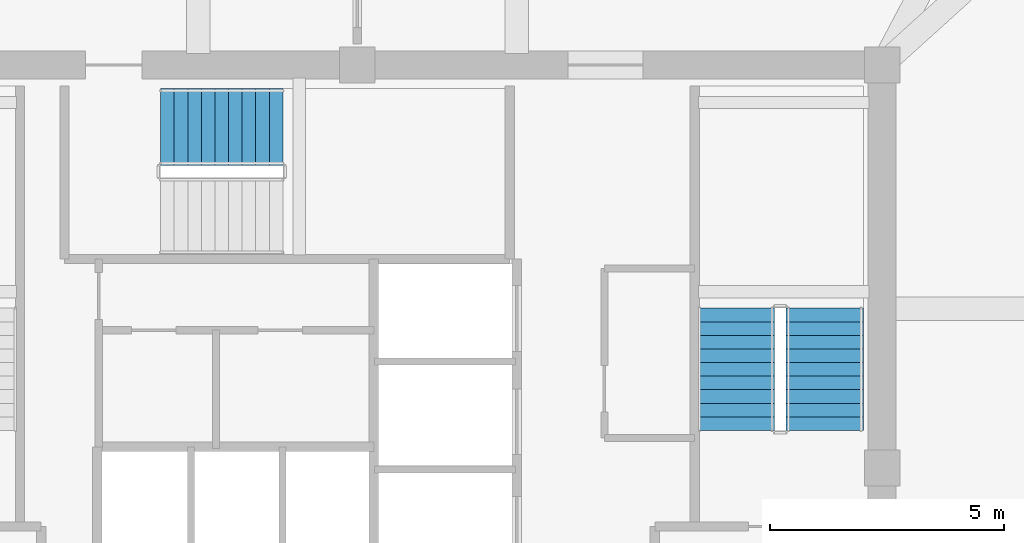
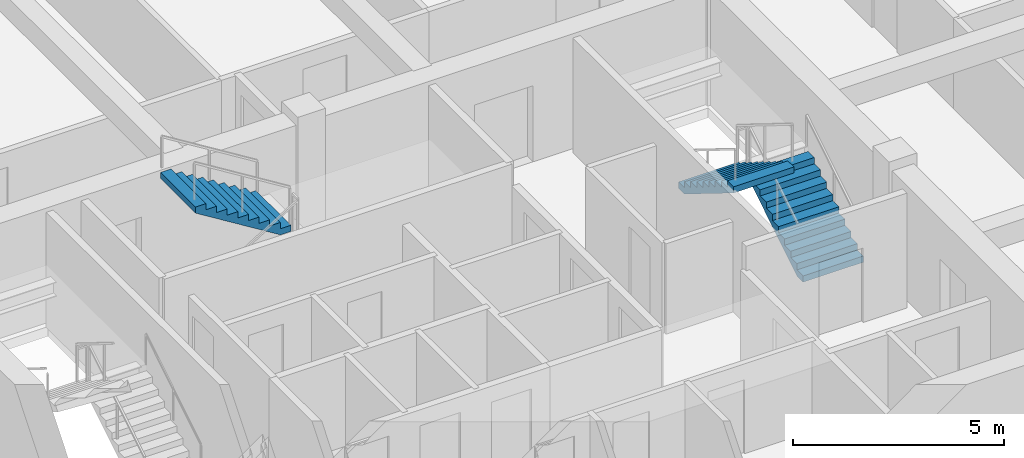
# One storey, part 12 of 14: 3 stair flights, 2 elements without a shape of their own.
"""IFC4 building model written with IfcOpenShell, lengths in metres."""

from ifc_helpers import new_model, si_unit, derived_unit, direction, frame, origin, place, context, subcontext, project, spatial, polyline, outline, extrude, material, type_object, element, aggregate, save


model = new_model("IFC4")

# Units and contexts
model_context = context("Model", 3, precision=1e-05, world=origin(), true_north=direction((0.0, 1.0)))
body_context = subcontext(model_context, "Body", "Model", "MODEL_VIEW")
ifc_project = project(units=[si_unit("LENGTHUNIT", "METRE"), si_unit("AREAUNIT", "SQUARE_METRE"), si_unit("VOLUMEUNIT", "CUBIC_METRE"), si_unit("PLANEANGLEUNIT", "RADIAN"), si_unit("MASSUNIT", "GRAM", prefix="KILO"), derived_unit("THERMALTRANSMITTANCEUNIT", [(si_unit("POWERUNIT", "WATT"), 1), (si_unit("LENGTHUNIT", "METRE"), -2), (si_unit("THERMODYNAMICTEMPERATUREUNIT", "KELVIN"), -1)])], contexts=[model_context])

# Site, building, storey
site_placement = place(None, origin())
site = spatial("IfcSite", under=ifc_project, at=site_placement, CompositionType="ELEMENT")
building_placement = place(site_placement, origin())
building = spatial("IfcBuilding", under=site, at=building_placement, Name="Koralith Skygarden Medical Center", CompositionType="ELEMENT")
storey_placement = place(building_placement, frame((0.0, 0.0, 257.219970703125)))
storey = spatial("IfcBuildingStorey", under=building, at=storey_placement, Name="L66", CompositionType="ELEMENT", Elevation=257.219970703125)

# Stair, stair flights
ifc_material = material(Name="Concrete C45/55", Category="concrete")
stair_type = type_object("IfcStairType", Name="Core Exit Dogleg Concrete Stair", PredefinedType="HALF_TURN_STAIR", material=ifc_material)
stair_1_placement = place(storey_placement, origin())
stair_1 = element("IfcStair", 1, at=stair_1_placement, inside=storey, type_object=stair_type, Name="L66 Smokeproof Exit Stair ST2", PredefinedType="HALF_TURN_STAIR")
stair_flight_type = type_object("IfcStairFlightType", Name="Core Exit Concrete Stair Flight 1650", PredefinedType="STRAIGHT", material=ifc_material)
stair_flight_1_placement = place(storey_placement, frame((46.97509765625, 26.699951171875, 0.0), z_axis=(0.0, 0.0, 1.0), x_axis=(0.0, 1.0, 0.0)))
stair_flight_1 = element("IfcStairFlight", 2, at=stair_flight_1_placement, type_object=stair_flight_type, Name="ST2 flight 1", NumberOfRisers=10, NumberOfTreads=9, PredefinedType="STRAIGHT", RiserHeight=0.18, TreadLength=0.29, context=body_context, shape_type="SweptSolid", body=[
    extrude(outline(polyline([(0.0, 0.0), (0.0, 0.179931640625), (0.2900390625, 0.179931640625), (0.2900390625, 0.360107421875), (0.580078125, 0.360107421875), (0.580078125, 0.5400390625), (0.8701171875, 0.5400390625), (0.8701171875, 0.719970703125), (1.159912109375, 0.719970703125), (1.159912109375, 0.89990234375), (1.449951171875, 0.89990234375), (1.449951171875, 1.080078125), (1.739990234375, 1.080078125), (1.739990234375, 1.260009765625), (2.030029296875, 1.260009765625), (2.030029296875, 1.43994140625), (2.320068359375, 1.43994140625), (2.320068359375, 1.6201171875), (2.610107421875, 1.6201171875), (2.610107421875, 1.800048828125), (2.610107421875, 1.443603515625), (0.2841796875, 0.0), (0.0, 0.0)])), frame((0.0, 0.824951171875, 0.0), z_axis=(0.0, -1.0, 0.0), x_axis=(1.0, 0.0, 0.0)), (0.0, 0.0, 1.0), 1.64990234375),
])
stair_flight_2_placement = place(storey_placement, frame((45.074951171875, 29.31005859375, 1.800048828125), z_axis=(0.0, 0.0, 1.0), x_axis=(0.0, -1.0, 0.0)))
stair_flight_2 = element("IfcStairFlight", 3, at=stair_flight_2_placement, type_object=stair_flight_type, Name="ST2 flight 2", NumberOfRisers=10, NumberOfTreads=9, PredefinedType="STRAIGHT", RiserHeight=0.18, TreadLength=0.29, context=body_context, shape_type="SweptSolid", body=[
    extrude(outline(polyline([(0.0, 0.0), (0.0, 0.179931640625), (0.2900390625, 0.179931640625), (0.2900390625, 0.360107421875), (0.580078125, 0.360107421875), (0.580078125, 0.5400390625), (0.8701171875, 0.5400390625), (0.8701171875, 0.719970703125), (1.159912109375, 0.719970703125), (1.159912109375, 0.89990234375), (1.449951171875, 0.89990234375), (1.449951171875, 1.080078125), (1.739990234375, 1.080078125), (1.739990234375, 1.260009765625), (2.030029296875, 1.260009765625), (2.030029296875, 1.43994140625), (2.320068359375, 1.43994140625), (2.320068359375, 1.6201171875), (2.610107421875, 1.6201171875), (2.610107421875, 1.800048828125), (2.610107421875, 1.443603515625), (0.2841796875, 0.0), (0.0, 0.0)])), frame((0.0, 0.824951171875, 0.0), z_axis=(0.0, -1.0, 0.0), x_axis=(1.0, 0.0, 0.0)), (0.0, 0.0, 1.0), 1.64990234375),
])
aggregate(stair_1, [stair_flight_1, stair_flight_2])

# Stair, stair flight
stair_2_placement = place(storey_placement, origin())
stair_2 = element("IfcStair", 4, at=stair_2_placement, inside=storey, type_object=stair_type, Name="L66 Smokeproof Exit Stair ST3", PredefinedType="HALF_TURN_STAIR")
stair_flight_3_placement = place(storey_placement, frame((35.409912109375, 33.175048828125, 1.800048828125), z_axis=(0.0, 0.0, 1.0), x_axis=(-1.0, 0.0, 0.0)))
stair_flight_3 = element("IfcStairFlight", 5, at=stair_flight_3_placement, type_object=stair_flight_type, Name="ST3 flight 2", NumberOfRisers=10, NumberOfTreads=9, PredefinedType="STRAIGHT", RiserHeight=0.18, TreadLength=0.29, context=body_context, shape_type="SweptSolid", body=[
    extrude(outline(polyline([(0.0, 0.0), (0.0, 0.179931640625), (0.2900390625, 0.179931640625), (0.2900390625, 0.360107421875), (0.580078125, 0.360107421875), (0.580078125, 0.5400390625), (0.8701171875, 0.5400390625), (0.8701171875, 0.719970703125), (1.159912109375, 0.719970703125), (1.159912109375, 0.89990234375), (1.449951171875, 0.89990234375), (1.449951171875, 1.080078125), (1.739990234375, 1.080078125), (1.739990234375, 1.260009765625), (2.030029296875, 1.260009765625), (2.030029296875, 1.43994140625), (2.320068359375, 1.43994140625), (2.320068359375, 1.6201171875), (2.610107421875, 1.6201171875), (2.610107421875, 1.800048828125), (2.610107421875, 1.443603515625), (0.2841796875, 0.0), (0.0, 0.0)])), frame((0.0, 0.824951171875, 0.0), z_axis=(0.0, -1.0, 0.0), x_axis=(1.0, 0.0, 0.0)), (0.0, 0.0, 1.0), 1.64990234375),
])
aggregate(stair_2, [stair_flight_3])

save(model, "model.ifc")
